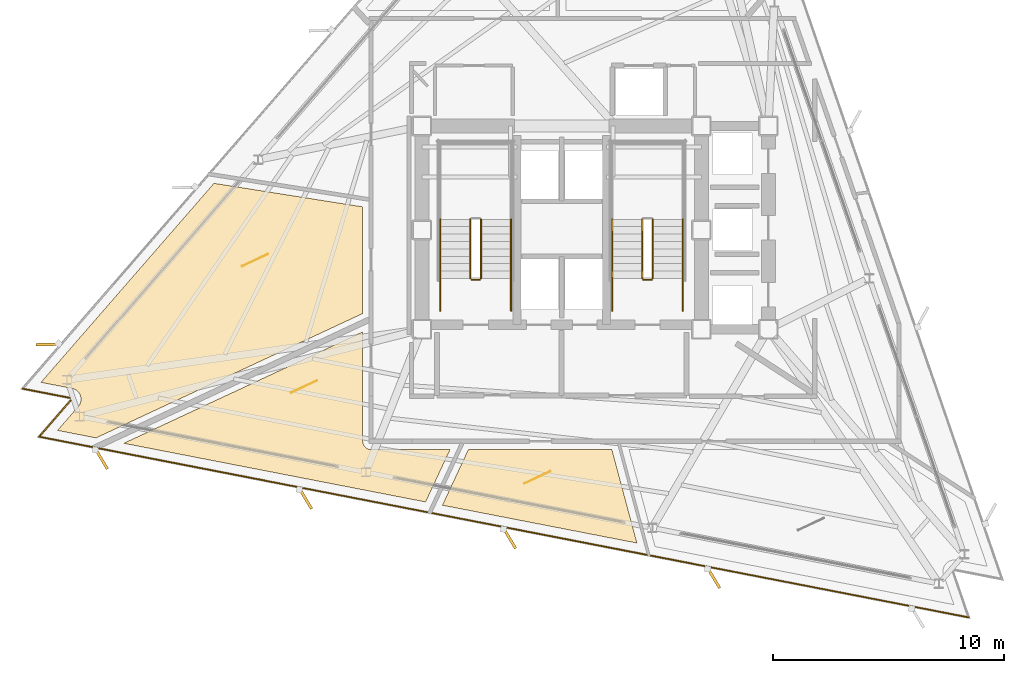
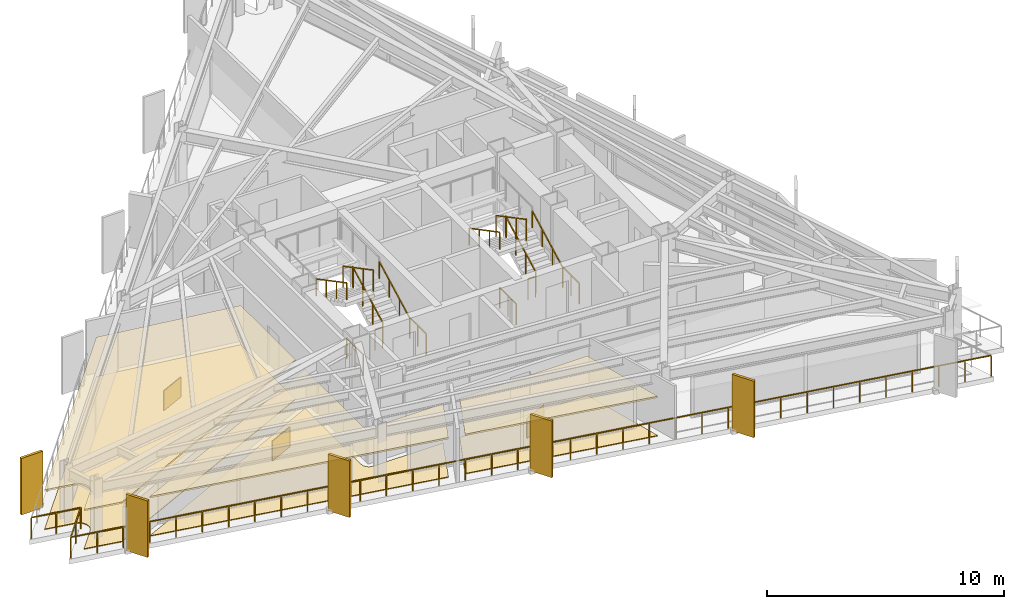
# One storey, part 11 of 13: 15 railings, 9 coverings, 5 shading devices.
"""IFC4 building model written with IfcOpenShell, lengths in metres."""

from ifc_helpers import new_model, si_unit, direction, frame, origin, origin_2d, place, context, subcontext, project, spatial, polyline, rectangle, outline, extrude, material, layer, layer_set, type_object, element, save


model = new_model("IFC4")

# Units and contexts
model_context = context("Model", 3, precision=1e-05, world=origin(), true_north=direction((0.0, 1.0)))
body_context = subcontext(model_context, "Body", "Model", "MODEL_VIEW")
ifc_project = project(units=[si_unit("LENGTHUNIT", "METRE"), si_unit("AREAUNIT", "SQUARE_METRE"), si_unit("VOLUMEUNIT", "CUBIC_METRE"), si_unit("PLANEANGLEUNIT", "RADIAN"), si_unit("MASSUNIT", "GRAM", prefix="KILO")], contexts=[model_context])

# Site, building, storey
site_placement = place(None, origin())
site = spatial("IfcSite", under=ifc_project, at=site_placement, CompositionType="ELEMENT")
building_placement = place(site_placement, origin())
building = spatial("IfcBuilding", under=site, at=building_placement, Name="Rocaltana Carrier Exchange", CompositionType="ELEMENT")
storey_placement = place(building_placement, frame((0.0, 0.0, 159.360107421875)))
storey = spatial("IfcBuildingStorey", under=building, at=storey_placement, Name="L50", CompositionType="ELEMENT", Elevation=159.360107421875)

# Coverings
ifc_material_1 = material(Name="Honed Bogota Sandstone Tile", Category="masonry")
ifc_layer_1 = layer(ifc_material_1, 0.0400390625)
ifc_layer_set_1 = layer_set([ifc_layer_1], Name="Honed Bogota Sandstone Tile")
covering_type_1 = type_object("IfcCoveringType", Name="Honed Stone Lobby Flooring 40", PredefinedType="FLOORING", material=ifc_layer_set_1)
covering_1_placement = place(storey_placement, origin())
element("IfcCovering", 1, at=covering_1_placement, inside=storey, type_object=covering_type_1, Name="L50 Peering Conference Room Finish Floor", PredefinedType="FLOORING", context=body_context, shape_type="SweptSolid", body=[
    extrude(outline(polyline([(-20.927490234375, -7.6455078125), (-20.918701171875, -7.635009765625), (-20.906494140625, -7.619140625), (-20.890380859375, -7.596435546875), (-20.879638671875, -7.57958984375), (-20.86572265625, -7.555419921875), (-20.85693359375, -7.53759765625), (-20.845703125, -7.511962890625), (-20.83837890625, -7.493408203125), (-20.829833984375, -7.466796875), (-20.824462890625, -7.447509765625), (-20.818603515625, -7.42041015625), (-20.815185546875, -7.400634765625), (-20.81201171875, -7.372802734375), (-20.810546875, -7.35302734375), (-20.81005859375, -7.3251953125), (-20.810791015625, -7.30517578125), (-20.81298828125, -7.27734375), (-20.815673828125, -7.257568359375), (-20.82080078125, -7.230224609375), (-20.8251953125, -7.210693359375), (-20.8330078125, -7.183837890625), (-20.839599609375, -7.1650390625), (-20.849853515625, -7.13916015625), (-20.8583984375, -7.12109375), (-20.87109375, -7.09619140625), (-20.88134765625, -7.0791015625), (-20.896484375, -7.055908203125), (-20.908447265625, -7.039794921875), (-20.92578125, -7.01806640625), (-20.939208984375, -7.003173828125), (-20.958984375, -6.9833984375), (-20.9736328125, -6.969970703125), (-20.9951171875, -6.9521484375), (-21.010986328125, -6.940185546875), (-21.0341796875, -6.924560546875), (-21.051513671875, -6.914306640625), (-21.075927734375, -6.901123046875), (-21.093994140625, -6.892578125), (-21.119873046875, -6.882080078125), (-21.138671875, -6.875244140625), (-21.165283203125, -6.8671875), (-21.184814453125, -6.862548828125), (-21.1982421875, -6.859619140625), (-22.541748046875, -6.598388671875), (-15.050537109375, 2.019287109375), (-8.610107421875, 0.999267578125), (-8.610107421875, -3.61767578125), (-20.158203125, -9.002685546875), (-21.82568359375, -8.6787109375), (-20.927490234375, -7.6455078125)])), origin(), (0.0, 0.0, 1.0), 0.039794921875),
])
covering_2_placement = place(storey_placement, origin())
element("IfcCovering", 2, at=covering_2_placement, inside=storey, type_object=covering_type_1, Name="L50 Incident Briefing Room Finish Floor", PredefinedType="FLOORING", context=body_context, shape_type="SweptSolid", body=[
    extrude(outline(polyline([(-18.955810546875, -9.236328125), (-8.610107421875, -4.412109375), (-8.610107421875, -9.14990234375), (-8.609619140625, -9.163818359375), (-8.609375, -9.171630859375), (-8.606689453125, -9.198974609375), (-8.60546875, -9.206787109375), (-8.60009765625, -9.233642578125), (-8.59814453125, -9.2412109375), (-8.590087890625, -9.267578125), (-8.58740234375, -9.27490234375), (-8.576904296875, -9.30029296875), (-8.57373046875, -9.307373046875), (-8.560791015625, -9.331787109375), (-8.556640625, -9.33837890625), (-8.54150390625, -9.361083984375), (-8.53662109375, -9.367431640625), (-8.519287109375, -9.388916015625), (-8.513916015625, -9.39453125), (-8.49462890625, -9.4140625), (-8.48876953125, -9.419189453125), (-8.467529296875, -9.436767578125), (-8.461181640625, -9.44140625), (-8.4384765625, -9.456787109375), (-8.431640625, -9.460693359375), (-8.407470703125, -9.4736328125), (-8.400390625, -9.47705078125), (-8.375, -9.487548828125), (-8.36767578125, -9.490234375), (-8.34130859375, -9.498291015625), (-8.33349609375, -9.5), (-8.306640625, -9.50537109375), (-8.298828125, -9.506591796875), (-8.271484375, -9.50927734375), (-8.263671875, -9.509765625), (-8.25, -9.510009765625), (-4.831787109375, -9.510009765625), (-5.888671875, -11.7763671875), (-18.955810546875, -9.236328125)])), origin(), (0.0, 0.0, 1.0), 0.039794921875),
])
covering_3_placement = place(storey_placement, origin())
element("IfcCovering", 3, at=covering_3_placement, inside=storey, type_object=covering_type_1, Name="L50 Peering Conference Room Finish Floor", PredefinedType="FLOORING", context=body_context, shape_type="SweptSolid", body=[
    extrude(outline(polyline([(-5.16015625, -11.91796875), (-4.037353515625, -9.510009765625), (2.175537109375, -9.510009765625), (3.25927734375, -13.554443359375), (-5.16015625, -11.91796875)])), origin(), (0.0, 0.0, 1.0), 0.039794921875),
])
ifc_material_2 = material(Name="Anodised Aluminium 6063-T6", Category="aluminium")
ifc_layer_2 = layer(ifc_material_2, 0.0849609375)
ifc_layer_set_2 = layer_set([ifc_layer_2], Name="Anodised Aluminium 6063-T6")
covering_type_2 = type_object("IfcCoveringType", Name="Linear Baffle Acoustic Ceiling 85", PredefinedType="CEILING", material=ifc_layer_set_2)
covering_4_placement = place(storey_placement, frame((0.0, 0.0, 1.972900390625)))
element("IfcCovering", 4, at=covering_4_placement, inside=storey, type_object=covering_type_2, Name="L50 Peering Conference Room Acoustic Ceiling", PredefinedType="CEILING", context=body_context, shape_type="SweptSolid", body=[
    extrude(outline(polyline([(-20.927490234375, -7.6455078125), (-20.918701171875, -7.635009765625), (-20.906494140625, -7.619140625), (-20.890380859375, -7.596435546875), (-20.879638671875, -7.57958984375), (-20.86572265625, -7.555419921875), (-20.85693359375, -7.53759765625), (-20.845703125, -7.511962890625), (-20.83837890625, -7.493408203125), (-20.829833984375, -7.466796875), (-20.824462890625, -7.447509765625), (-20.818603515625, -7.42041015625), (-20.815185546875, -7.400634765625), (-20.81201171875, -7.372802734375), (-20.810546875, -7.35302734375), (-20.81005859375, -7.3251953125), (-20.810791015625, -7.30517578125), (-20.81298828125, -7.27734375), (-20.815673828125, -7.257568359375), (-20.82080078125, -7.230224609375), (-20.8251953125, -7.210693359375), (-20.8330078125, -7.183837890625), (-20.839599609375, -7.1650390625), (-20.849853515625, -7.13916015625), (-20.8583984375, -7.12109375), (-20.87109375, -7.09619140625), (-20.88134765625, -7.0791015625), (-20.896484375, -7.055908203125), (-20.908447265625, -7.039794921875), (-20.92578125, -7.01806640625), (-20.939208984375, -7.003173828125), (-20.958984375, -6.9833984375), (-20.9736328125, -6.969970703125), (-20.9951171875, -6.9521484375), (-21.010986328125, -6.940185546875), (-21.0341796875, -6.924560546875), (-21.051513671875, -6.914306640625), (-21.075927734375, -6.901123046875), (-21.093994140625, -6.892578125), (-21.119873046875, -6.882080078125), (-21.138671875, -6.875244140625), (-21.165283203125, -6.8671875), (-21.184814453125, -6.862548828125), (-21.1982421875, -6.859619140625), (-22.541748046875, -6.598388671875), (-15.050537109375, 2.019287109375), (-8.610107421875, 0.999267578125), (-8.610107421875, -3.61767578125), (-20.158203125, -9.002685546875), (-21.82568359375, -8.6787109375), (-20.927490234375, -7.6455078125)])), origin(), (0.0, 0.0, 1.0), 0.0849609375),
])
covering_5_placement = place(storey_placement, frame((0.0, 0.0, 1.972900390625)))
element("IfcCovering", 5, at=covering_5_placement, inside=storey, type_object=covering_type_2, Name="L50 Incident Briefing Room Acoustic Ceiling", PredefinedType="CEILING", context=body_context, shape_type="SweptSolid", body=[
    extrude(outline(polyline([(-18.955810546875, -9.236328125), (-8.610107421875, -4.412109375), (-8.610107421875, -9.14990234375), (-8.609619140625, -9.163818359375), (-8.609375, -9.171630859375), (-8.606689453125, -9.198974609375), (-8.60546875, -9.206787109375), (-8.60009765625, -9.233642578125), (-8.59814453125, -9.2412109375), (-8.590087890625, -9.267578125), (-8.58740234375, -9.27490234375), (-8.576904296875, -9.30029296875), (-8.57373046875, -9.307373046875), (-8.560791015625, -9.331787109375), (-8.556640625, -9.33837890625), (-8.54150390625, -9.361083984375), (-8.53662109375, -9.367431640625), (-8.519287109375, -9.388916015625), (-8.513916015625, -9.39453125), (-8.49462890625, -9.4140625), (-8.48876953125, -9.419189453125), (-8.467529296875, -9.436767578125), (-8.461181640625, -9.44140625), (-8.4384765625, -9.456787109375), (-8.431640625, -9.460693359375), (-8.407470703125, -9.4736328125), (-8.400390625, -9.47705078125), (-8.375, -9.487548828125), (-8.36767578125, -9.490234375), (-8.34130859375, -9.498291015625), (-8.33349609375, -9.5), (-8.306640625, -9.50537109375), (-8.298828125, -9.506591796875), (-8.271484375, -9.50927734375), (-8.263671875, -9.509765625), (-8.25, -9.510009765625), (-4.831787109375, -9.510009765625), (-5.888671875, -11.7763671875), (-18.955810546875, -9.236328125)])), origin(), (0.0, 0.0, 1.0), 0.0849609375),
])
covering_6_placement = place(storey_placement, frame((0.0, 0.0, 1.972900390625)))
element("IfcCovering", 6, at=covering_6_placement, inside=storey, type_object=covering_type_2, Name="L50 Peering Conference Room Acoustic Ceiling", PredefinedType="CEILING", context=body_context, shape_type="SweptSolid", body=[
    extrude(outline(polyline([(-5.16015625, -11.91796875), (-4.037353515625, -9.510009765625), (2.175537109375, -9.510009765625), (3.25927734375, -13.554443359375), (-5.16015625, -11.91796875)])), origin(), (0.0, 0.0, 1.0), 0.0849609375),
])

# Railings
ifc_material_3 = material(Name="Brushed Architectural Stainless Tube", Category="steel")
ifc_layer_3 = layer(ifc_material_3, 0.048095703125)
ifc_layer_set_3 = layer_set([ifc_layer_3], Name="Brushed Architectural Stainless Tube")
railing_type_1 = type_object("IfcRailingType", Name="Stair Wall Handrail 920", PredefinedType="HANDRAIL", material=ifc_layer_set_3)
railing_1_placement = place(storey_placement, frame((-2.18994140625, -2.10009765625, 0.168701171875)))
element("IfcRailing", 7, at=railing_1_placement, inside=storey, type_object=railing_type_1, Name="L50 ST-1 stair handrail 1", PredefinedType="HANDRAIL", context=body_context, shape_type="SweptSolid", body=[
    extrude(rectangle(XDim=0.048095703125, YDim=0.048095703125, at=origin_2d()), frame((0.0, 0.0, 0.8759765625), z_axis=(0.0, 0.884394423565, 0.466740295633), x_axis=(-1.0, 0.0, 0.0)), (0.0, 0.0, 1.0), 2.894775390625),
    extrude(rectangle(XDim=0.0419921875, YDim=0.0419921875, at=origin_2d()), origin(), (0.0, 0.0, 1.0), 0.851806640625),
    extrude(rectangle(XDim=0.0419921875, YDim=0.0419921875, at=origin_2d()), frame((0.0, 0.853271484375, 0.450439453125)), (0.0, 0.0, 1.0), 0.851806640625),
    extrude(rectangle(XDim=0.0419921875, YDim=0.0419921875, at=origin_2d()), frame((0.0, 1.706787109375, 0.900634765625)), (0.0, 0.0, 1.0), 0.851806640625),
    extrude(rectangle(XDim=0.0419921875, YDim=0.0419921875, at=origin_2d()), frame((0.0, 2.56005859375, 1.35107421875)), (0.0, 0.0, 1.0), 0.851806640625),
])
railing_2_placement = place(storey_placement, frame((-5.25, 0.4599609375, 1.688720703125)))
element("IfcRailing", 8, at=railing_2_placement, inside=storey, type_object=railing_type_1, Name="L50 ST-1 stair handrail 2", PredefinedType="HANDRAIL", context=body_context, shape_type="SweptSolid", body=[
    extrude(rectangle(XDim=0.048095703125, YDim=0.048095703125, at=origin_2d()), frame((0.0, 0.0, 0.8759765625), z_axis=(0.0, -0.884394423565, 0.466740295633), x_axis=(1.0, 0.0, 0.0)), (0.0, 0.0, 1.0), 2.894775390625),
    extrude(rectangle(XDim=0.0419921875, YDim=0.0419921875, at=origin_2d()), origin(), (0.0, 0.0, 1.0), 0.851806640625),
    extrude(rectangle(XDim=0.0419921875, YDim=0.0419921875, at=origin_2d()), frame((0.0, -0.853271484375, 0.450439453125)), (0.0, 0.0, 1.0), 0.851806640625),
    extrude(rectangle(XDim=0.0419921875, YDim=0.0419921875, at=origin_2d()), frame((0.0, -1.706787109375, 0.900634765625)), (0.0, 0.0, 1.0), 0.851806640625),
    extrude(rectangle(XDim=0.0419921875, YDim=0.0419921875, at=origin_2d()), frame((0.0, -2.56005859375, 1.35107421875)), (0.0, 0.0, 1.0), 0.851806640625),
])
railing_3_placement = place(storey_placement, frame((5.25, -2.10009765625, 0.168701171875)))
element("IfcRailing", 9, at=railing_3_placement, inside=storey, type_object=railing_type_1, Name="L50 ST-2 stair handrail 1", PredefinedType="HANDRAIL", context=body_context, shape_type="SweptSolid", body=[
    extrude(rectangle(XDim=0.048095703125, YDim=0.048095703125, at=origin_2d()), frame((0.0, 0.0, 0.8759765625), z_axis=(0.0, 0.884394423565, 0.466740295633), x_axis=(-1.0, 0.0, 0.0)), (0.0, 0.0, 1.0), 2.894775390625),
    extrude(rectangle(XDim=0.0419921875, YDim=0.0419921875, at=origin_2d()), origin(), (0.0, 0.0, 1.0), 0.851806640625),
    extrude(rectangle(XDim=0.0419921875, YDim=0.0419921875, at=origin_2d()), frame((0.0, 0.853271484375, 0.450439453125)), (0.0, 0.0, 1.0), 0.851806640625),
    extrude(rectangle(XDim=0.0419921875, YDim=0.0419921875, at=origin_2d()), frame((0.0, 1.706787109375, 0.900634765625)), (0.0, 0.0, 1.0), 0.851806640625),
    extrude(rectangle(XDim=0.0419921875, YDim=0.0419921875, at=origin_2d()), frame((0.0, 2.56005859375, 1.35107421875)), (0.0, 0.0, 1.0), 0.851806640625),
])
railing_4_placement = place(storey_placement, frame((2.18994140625, 0.4599609375, 1.688720703125)))
element("IfcRailing", 10, at=railing_4_placement, inside=storey, type_object=railing_type_1, Name="L50 ST-2 stair handrail 2", PredefinedType="HANDRAIL", context=body_context, shape_type="SweptSolid", body=[
    extrude(rectangle(XDim=0.048095703125, YDim=0.048095703125, at=origin_2d()), frame((0.0, 0.0, 0.8759765625), z_axis=(0.0, -0.884394423565, 0.466740295633), x_axis=(1.0, 0.0, 0.0)), (0.0, 0.0, 1.0), 2.894775390625),
    extrude(rectangle(XDim=0.0419921875, YDim=0.0419921875, at=origin_2d()), origin(), (0.0, 0.0, 1.0), 0.851806640625),
    extrude(rectangle(XDim=0.0419921875, YDim=0.0419921875, at=origin_2d()), frame((0.0, -0.853271484375, 0.450439453125)), (0.0, 0.0, 1.0), 0.851806640625),
    extrude(rectangle(XDim=0.0419921875, YDim=0.0419921875, at=origin_2d()), frame((0.0, -1.706787109375, 0.900634765625)), (0.0, 0.0, 1.0), 0.851806640625),
    extrude(rectangle(XDim=0.0419921875, YDim=0.0419921875, at=origin_2d()), frame((0.0, -2.56005859375, 1.35107421875)), (0.0, 0.0, 1.0), 0.851806640625),
])
ifc_material_4 = material(Name="Powder-Coated Aluminium 6063-T6", Category="aluminium")
ifc_layer_4 = layer(ifc_material_4, 0.048095703125)
ifc_layer_set_4 = layer_set([ifc_layer_4], Name="Powder-Coated Aluminium 6063-T6")
railing_type_2 = type_object("IfcRailingType", Name="Stair Well Guardrail 1100", PredefinedType="GUARDRAIL", material=ifc_layer_set_4)
railing_5_placement = place(storey_placement, frame((-3.489990234375, -2.10009765625, 0.168701171875)))
element("IfcRailing", 11, at=railing_5_placement, inside=storey, type_object=railing_type_2, Name="L50 ST-1 stair guard 1", PredefinedType="GUARDRAIL", context=body_context, shape_type="SweptSolid", body=[
    extrude(rectangle(XDim=0.048095703125, YDim=0.048095703125, at=origin_2d()), frame((0.0, 0.0, 1.076171875), z_axis=(0.0, 0.884394423565, 0.466740295633), x_axis=(-1.0, 0.0, 0.0)), (0.0, 0.0, 1.0), 2.894775390625),
    extrude(rectangle(XDim=0.0419921875, YDim=0.0419921875, at=origin_2d()), origin(), (0.0, 0.0, 1.0), 1.052001953125),
    extrude(rectangle(XDim=0.0419921875, YDim=0.0419921875, at=origin_2d()), frame((0.0, 0.853271484375, 0.450439453125)), (0.0, 0.0, 1.0), 1.052001953125),
    extrude(rectangle(XDim=0.0419921875, YDim=0.0419921875, at=origin_2d()), frame((0.0, 1.706787109375, 0.900634765625)), (0.0, 0.0, 1.0), 1.052001953125),
    extrude(rectangle(XDim=0.0419921875, YDim=0.0419921875, at=origin_2d()), frame((0.0, 2.56005859375, 1.35107421875)), (0.0, 0.0, 1.0), 1.052001953125),
])
railing_6_placement = place(storey_placement, frame((-3.949951171875, 0.4599609375, 1.688720703125)))
element("IfcRailing", 12, at=railing_6_placement, inside=storey, type_object=railing_type_2, Name="L50 ST-1 stair guard 6", PredefinedType="GUARDRAIL", context=body_context, shape_type="SweptSolid", body=[
    extrude(rectangle(XDim=0.048095703125, YDim=0.048095703125, at=origin_2d()), frame((0.0, 0.0, 1.076171875), z_axis=(0.0, -0.884394423565, 0.466740295633), x_axis=(1.0, 0.0, 0.0)), (0.0, 0.0, 1.0), 2.894775390625),
    extrude(rectangle(XDim=0.0419921875, YDim=0.0419921875, at=origin_2d()), origin(), (0.0, 0.0, 1.0), 1.052001953125),
    extrude(rectangle(XDim=0.0419921875, YDim=0.0419921875, at=origin_2d()), frame((0.0, -0.853271484375, 0.450439453125)), (0.0, 0.0, 1.0), 1.052001953125),
    extrude(rectangle(XDim=0.0419921875, YDim=0.0419921875, at=origin_2d()), frame((0.0, -1.706787109375, 0.900634765625)), (0.0, 0.0, 1.0), 1.052001953125),
    extrude(rectangle(XDim=0.0419921875, YDim=0.0419921875, at=origin_2d()), frame((0.0, -2.56005859375, 1.35107421875)), (0.0, 0.0, 1.0), 1.052001953125),
])
railing_7_placement = place(storey_placement, frame((-3.5400390625, -2.14990234375, 0.0)))
element("IfcRailing", 13, at=railing_7_placement, inside=storey, type_object=railing_type_2, Name="L50 ST-1 stair guard 7", PredefinedType="GUARDRAIL", context=body_context, shape_type="SweptSolid", body=[
    extrude(rectangle(XDim=0.048095703125, YDim=0.048095703125, at=origin_2d()), frame((0.0, 0.0, 1.076171875), z_axis=(-1.0, 0.0, 0.0), x_axis=(0.0, -1.0, 0.0)), (0.0, 0.0, 1.0), 0.35986328125),
    extrude(rectangle(XDim=0.0419921875, YDim=0.0419921875, at=origin_2d()), origin(), (0.0, 0.0, 1.0), 1.052001953125),
    extrude(rectangle(XDim=0.0419921875, YDim=0.0419921875, at=origin_2d()), frame((-0.35986328125, 0.0, 0.0)), (0.0, 0.0, 1.0), 1.052001953125),
])
for number, where, name in (
    (14, (-2.18994140625, -3.5, 0.0), "L50 ST-1 stair guard 8"),
    (15, (-5.25, -3.5, 0.0), "L50 ST-1 stair guard 9"),
):
    element("IfcRailing", number, at=place(storey_placement, frame(where)), inside=storey, type_object=railing_type_2, Name=name, PredefinedType="GUARDRAIL", context=body_context, shape_type="SweptSolid", body=[
        extrude(rectangle(XDim=0.048095703125, YDim=0.048095703125, at=origin_2d()), frame((0.0, 0.0, 1.076171875), z_axis=(0.0, 1.0, 0.0), x_axis=(-1.0, 0.0, 0.0)), (0.0, 0.0, 1.0), 1.39990234375),
        extrude(rectangle(XDim=0.0419921875, YDim=0.0419921875, at=origin_2d()), origin(), (0.0, 0.0, 1.0), 1.052001953125),
        extrude(rectangle(XDim=0.0419921875, YDim=0.0419921875, at=origin_2d()), frame((0.0, 0.699951171875, 0.0)), (0.0, 0.0, 1.0), 1.052001953125),
        extrude(rectangle(XDim=0.0419921875, YDim=0.0419921875, at=origin_2d()), frame((0.0, 1.39990234375, 0.0)), (0.0, 0.0, 1.0), 1.052001953125),
    ])
railing_8_placement = place(storey_placement, frame((3.949951171875, -2.10009765625, 0.168701171875)))
element("IfcRailing", 16, at=railing_8_placement, inside=storey, type_object=railing_type_2, Name="L50 ST-2 stair guard 1", PredefinedType="GUARDRAIL", context=body_context, shape_type="SweptSolid", body=[
    extrude(rectangle(XDim=0.048095703125, YDim=0.048095703125, at=origin_2d()), frame((0.0, 0.0, 1.076171875), z_axis=(0.0, 0.884394423565, 0.466740295633), x_axis=(-1.0, 0.0, 0.0)), (0.0, 0.0, 1.0), 2.894775390625),
    extrude(rectangle(XDim=0.0419921875, YDim=0.0419921875, at=origin_2d()), origin(), (0.0, 0.0, 1.0), 1.052001953125),
    extrude(rectangle(XDim=0.0419921875, YDim=0.0419921875, at=origin_2d()), frame((0.0, 0.853271484375, 0.450439453125)), (0.0, 0.0, 1.0), 1.052001953125),
    extrude(rectangle(XDim=0.0419921875, YDim=0.0419921875, at=origin_2d()), frame((0.0, 1.706787109375, 0.900634765625)), (0.0, 0.0, 1.0), 1.052001953125),
    extrude(rectangle(XDim=0.0419921875, YDim=0.0419921875, at=origin_2d()), frame((0.0, 2.56005859375, 1.35107421875)), (0.0, 0.0, 1.0), 1.052001953125),
])
railing_9_placement = place(storey_placement, frame((3.489990234375, 0.4599609375, 1.688720703125)))
element("IfcRailing", 17, at=railing_9_placement, inside=storey, type_object=railing_type_2, Name="L50 ST-2 stair guard 6", PredefinedType="GUARDRAIL", context=body_context, shape_type="SweptSolid", body=[
    extrude(rectangle(XDim=0.048095703125, YDim=0.048095703125, at=origin_2d()), frame((0.0, 0.0, 1.076171875), z_axis=(0.0, -0.884394423565, 0.466740295633), x_axis=(1.0, 0.0, 0.0)), (0.0, 0.0, 1.0), 2.894775390625),
    extrude(rectangle(XDim=0.0419921875, YDim=0.0419921875, at=origin_2d()), origin(), (0.0, 0.0, 1.0), 1.052001953125),
    extrude(rectangle(XDim=0.0419921875, YDim=0.0419921875, at=origin_2d()), frame((0.0, -0.853271484375, 0.450439453125)), (0.0, 0.0, 1.0), 1.052001953125),
    extrude(rectangle(XDim=0.0419921875, YDim=0.0419921875, at=origin_2d()), frame((0.0, -1.706787109375, 0.900634765625)), (0.0, 0.0, 1.0), 1.052001953125),
    extrude(rectangle(XDim=0.0419921875, YDim=0.0419921875, at=origin_2d()), frame((0.0, -2.56005859375, 1.35107421875)), (0.0, 0.0, 1.0), 1.052001953125),
])
railing_10_placement = place(storey_placement, frame((3.89990234375, -2.14990234375, 0.0)))
element("IfcRailing", 18, at=railing_10_placement, inside=storey, type_object=railing_type_2, Name="L50 ST-2 stair guard 7", PredefinedType="GUARDRAIL", context=body_context, shape_type="SweptSolid", body=[
    extrude(rectangle(XDim=0.048095703125, YDim=0.048095703125, at=origin_2d()), frame((0.0, 0.0, 1.076171875), z_axis=(-1.0, 0.0, 0.0), x_axis=(0.0, -1.0, 0.0)), (0.0, 0.0, 1.0), 0.35986328125),
    extrude(rectangle(XDim=0.0419921875, YDim=0.0419921875, at=origin_2d()), origin(), (0.0, 0.0, 1.0), 1.052001953125),
    extrude(rectangle(XDim=0.0419921875, YDim=0.0419921875, at=origin_2d()), frame((-0.35986328125, 0.0, 0.0)), (0.0, 0.0, 1.0), 1.052001953125),
])
for number, where, name in (
    (19, (5.25, -3.5, 0.0), "L50 ST-2 stair guard 8"),
    (20, (2.18994140625, -3.5, 0.0), "L50 ST-2 stair guard 9"),
):
    element("IfcRailing", number, at=place(storey_placement, frame(where)), inside=storey, type_object=railing_type_2, Name=name, PredefinedType="GUARDRAIL", context=body_context, shape_type="SweptSolid", body=[
        extrude(rectangle(XDim=0.048095703125, YDim=0.048095703125, at=origin_2d()), frame((0.0, 0.0, 1.076171875), z_axis=(0.0, 1.0, 0.0), x_axis=(-1.0, 0.0, 0.0)), (0.0, 0.0, 1.0), 1.39990234375),
        extrude(rectangle(XDim=0.0419921875, YDim=0.0419921875, at=origin_2d()), origin(), (0.0, 0.0, 1.0), 1.052001953125),
        extrude(rectangle(XDim=0.0419921875, YDim=0.0419921875, at=origin_2d()), frame((0.0, 0.699951171875, 0.0)), (0.0, 0.0, 1.0), 1.052001953125),
        extrude(rectangle(XDim=0.0419921875, YDim=0.0419921875, at=origin_2d()), frame((0.0, 1.39990234375, 0.0)), (0.0, 0.0, 1.0), 1.052001953125),
    ])

# Coverings
ifc_material_5 = material(Name="Honed Piedra Muneca Sandstone", Category="masonry")
ifc_layer_5 = layer(ifc_material_5, 0.034912109375)
ifc_layer_set_5 = layer_set([ifc_layer_5], Name="Honed Piedra Muneca Sandstone")
covering_type_3 = type_object("IfcCoveringType", Name="Stone Facade Cladding 35", PredefinedType="CLADDING", material=ifc_layer_set_5)
for number, where, z_axis, x_axis, name in (
    (21, (-13.277099609375, -1.30908203125, 0.0), (0.0, 0.0, 1.0), (0.906307787037, 0.422618261741, 0.0), "L50 Stone Facade Cladding Panel 1"),
    (22, (-11.150146484375, -6.781005859375, 0.0), (0.0, 0.0, 1.0), (0.906307787037, 0.422618261741, 0.0), "L50 Stone Facade Cladding Panel 2"),
    (23, (-1.05029296875, -10.714111328125, 0.0), (0.0, 0.0, 1.0), (0.906307787037, 0.422618261741, 0.0), "L50 Stone Facade Cladding Panel 3"),
):
    element("IfcCovering", number, at=place(storey_placement, frame(where, z_axis=z_axis, x_axis=x_axis)), inside=storey, type_object=covering_type_3, Name=name, PredefinedType="CLADDING", context=body_context, shape_type="SweptSolid", body=[
        extrude(rectangle(XDim=1.25, YDim=0.034912109375, at=origin_2d()), origin(), (0.0, 0.0, 1.0), 1.050048828125),
    ])

# Shading devices
ifc_material_6 = material(Name="Honed Bogota Sandstone & Concrete C45/55", Category="masonry")
ifc_layer_6 = layer(ifc_material_6, 0.1201171875)
ifc_layer_set_6 = layer_set([ifc_layer_6], Name="Honed Bogota Sandstone & Concrete C45/55")
shading_device_type = type_object("IfcShadingDeviceType", Name="Upper Sandstone Shading Fin 1050x120", PredefinedType="USERDEFINED", material=ifc_layer_set_6)
for number, where, z_axis, x_axis, name in (
    (24, (-22.228759765625, -4.95703125, -0.1201171875), (0.0, 0.0, 1.0), (-0.999847695156, -0.017452406437, 0.0), "L50 Sandstone Vertical Fin F2-05"),
    (25, (-19.93115234375, -9.90283203125, -0.1201171875), (0.0, 0.0, 1.0), (0.51503807491, -0.857167300702, 0.0), "L50 Sandstone Vertical Fin F3-01"),
    (26, (-11.0966796875, -11.6201171875, -0.1201171875), (0.0, 0.0, 1.0), (0.51503807491, -0.857167300702, 0.0), "L50 Sandstone Vertical Fin F3-02"),
    (27, (-2.261962890625, -13.33740234375, -0.1201171875), (0.0, 0.0, 1.0), (0.51503807491, -0.857167300702, 0.0), "L50 Sandstone Vertical Fin F3-03"),
    (28, (6.57275390625, -15.0546875, -0.1201171875), (0.0, 0.0, 1.0), (0.51503807491, -0.857167300702, 0.0), "L50 Sandstone Vertical Fin F3-04"),
):
    element("IfcShadingDevice", number, at=place(storey_placement, frame(where, z_axis=z_axis, x_axis=x_axis)), inside=storey, type_object=shading_device_type, Name=name, ObjectType="FIN", PredefinedType="USERDEFINED", context=body_context, shape_type="SweptSolid", body=[
        extrude(rectangle(XDim=1.050048828125, YDim=0.1201171875, at=origin_2d()), origin(), (0.0, 0.0, 1.0), 2.907958984375),
    ])

# Railing
ifc_material_7 = material(Name="Powder-Coated Aluminium 6063-T6", Category="aluminium")
ifc_layer_7 = layer(ifc_material_7, 0.06005859375)
ifc_layer_set_7 = layer_set([ifc_layer_7], Name="Powder-Coated Aluminium 6063-T6")
railing_type_3 = type_object("IfcRailingType", Name="Wind-Floor & Terrace Perimeter Guardrail 1100", PredefinedType="GUARDRAIL", material=ifc_layer_set_7)
railing_11_placement = place(storey_placement, frame((17.619140625, -16.773681640625, 0.0)))
element("IfcRailing", 29, at=railing_11_placement, inside=storey, type_object=railing_type_3, Name="L50 Perimeter Balcony Guardrail 1", PredefinedType="GUARDRAIL", context=body_context, shape_type="SweptSolid", body=[
    extrude(rectangle(XDim=0.048095703125, YDim=0.048095703125, at=origin_2d()), frame((0.0, 0.0, 1.076171875), z_axis=(-0.981626701724, 0.190811473615, 0.0), x_axis=(-0.190811473615, -0.981626701724, 0.0)), (0.0, 0.0, 1.0), 40.9921875),
    extrude(rectangle(XDim=0.048095703125, YDim=0.048095703125, at=origin_2d()), frame((-40.239013671875, 7.82177734375, 1.076171875), z_axis=(0.656057821484, 0.75471062989, 0.0), x_axis=(-0.75471062989, 0.656057821484, 0.0)), (0.0, 0.0, 1.0), 2.199951171875),
    extrude(rectangle(XDim=0.048095703125, YDim=0.048095703125, at=origin_2d()), frame((-38.795654296875, 9.482177734375, 1.076171875), z_axis=(-0.98163329095, 0.190777572317, 0.0), x_axis=(-0.190777572317, -0.98163329095, 0.0)), (0.0, 0.0, 1.0), 2.19970703125),
    extrude(rectangle(XDim=0.0419921875, YDim=0.0419921875, at=origin_2d()), origin(), (0.0, 0.0, 1.0), 1.052001953125),
    extrude(rectangle(XDim=0.0419921875, YDim=0.0419921875, at=origin_2d()), frame((-1.149658203125, 0.223388671875, 0.0)), (0.0, 0.0, 1.0), 1.052001953125),
    extrude(rectangle(XDim=0.0419921875, YDim=0.0419921875, at=origin_2d()), frame((-2.29931640625, 0.447021484375, 0.0)), (0.0, 0.0, 1.0), 1.052001953125),
    extrude(rectangle(XDim=0.0419921875, YDim=0.0419921875, at=origin_2d()), frame((-3.448974609375, 0.67041015625, 0.0)), (0.0, 0.0, 1.0), 1.052001953125),
    extrude(rectangle(XDim=0.0419921875, YDim=0.0419921875, at=origin_2d()), frame((-4.5986328125, 0.893798828125, 0.0)), (0.0, 0.0, 1.0), 1.052001953125),
    extrude(rectangle(XDim=0.0419921875, YDim=0.0419921875, at=origin_2d()), frame((-5.74853515625, 1.117431640625, 0.0)), (0.0, 0.0, 1.0), 1.052001953125),
    extrude(rectangle(XDim=0.0419921875, YDim=0.0419921875, at=origin_2d()), frame((-6.898193359375, 1.3408203125, 0.0)), (0.0, 0.0, 1.0), 1.052001953125),
    extrude(rectangle(XDim=0.0419921875, YDim=0.0419921875, at=origin_2d()), frame((-8.0478515625, 1.564453125, 0.0)), (0.0, 0.0, 1.0), 1.052001953125),
    extrude(rectangle(XDim=0.0419921875, YDim=0.0419921875, at=origin_2d()), frame((-9.197509765625, 1.787841796875, 0.0)), (0.0, 0.0, 1.0), 1.052001953125),
    extrude(rectangle(XDim=0.0419921875, YDim=0.0419921875, at=origin_2d()), frame((-10.34716796875, 2.01123046875, 0.0)), (0.0, 0.0, 1.0), 1.052001953125),
    extrude(rectangle(XDim=0.0419921875, YDim=0.0419921875, at=origin_2d()), frame((-11.496826171875, 2.23486328125, 0.0)), (0.0, 0.0, 1.0), 1.052001953125),
    extrude(rectangle(XDim=0.0419921875, YDim=0.0419921875, at=origin_2d()), frame((-12.646484375, 2.458251953125, 0.0)), (0.0, 0.0, 1.0), 1.052001953125),
    extrude(rectangle(XDim=0.0419921875, YDim=0.0419921875, at=origin_2d()), frame((-13.796142578125, 2.681640625, 0.0)), (0.0, 0.0, 1.0), 1.052001953125),
    extrude(rectangle(XDim=0.0419921875, YDim=0.0419921875, at=origin_2d()), frame((-14.94580078125, 2.9052734375, 0.0)), (0.0, 0.0, 1.0), 1.052001953125),
    extrude(rectangle(XDim=0.0419921875, YDim=0.0419921875, at=origin_2d()), frame((-16.095703125, 3.128662109375, 0.0)), (0.0, 0.0, 1.0), 1.052001953125),
    extrude(rectangle(XDim=0.0419921875, YDim=0.0419921875, at=origin_2d()), frame((-17.245361328125, 3.352294921875, 0.0)), (0.0, 0.0, 1.0), 1.052001953125),
    extrude(rectangle(XDim=0.0419921875, YDim=0.0419921875, at=origin_2d()), frame((-18.39501953125, 3.57568359375, 0.0)), (0.0, 0.0, 1.0), 1.052001953125),
    extrude(rectangle(XDim=0.0419921875, YDim=0.0419921875, at=origin_2d()), frame((-19.544677734375, 3.799072265625, 0.0)), (0.0, 0.0, 1.0), 1.052001953125),
    extrude(rectangle(XDim=0.0419921875, YDim=0.0419921875, at=origin_2d()), frame((-20.6943359375, 4.022705078125, 0.0)), (0.0, 0.0, 1.0), 1.052001953125),
    extrude(rectangle(XDim=0.0419921875, YDim=0.0419921875, at=origin_2d()), frame((-21.843994140625, 4.24609375, 0.0)), (0.0, 0.0, 1.0), 1.052001953125),
    extrude(rectangle(XDim=0.0419921875, YDim=0.0419921875, at=origin_2d()), frame((-22.99365234375, 4.469482421875, 0.0)), (0.0, 0.0, 1.0), 1.052001953125),
    extrude(rectangle(XDim=0.0419921875, YDim=0.0419921875, at=origin_2d()), frame((-24.143310546875, 4.693115234375, 0.0)), (0.0, 0.0, 1.0), 1.052001953125),
    extrude(rectangle(XDim=0.0419921875, YDim=0.0419921875, at=origin_2d()), frame((-25.293212890625, 4.91650390625, 0.0)), (0.0, 0.0, 1.0), 1.052001953125),
    extrude(rectangle(XDim=0.0419921875, YDim=0.0419921875, at=origin_2d()), frame((-26.44287109375, 5.14013671875, 0.0)), (0.0, 0.0, 1.0), 1.052001953125),
    extrude(rectangle(XDim=0.0419921875, YDim=0.0419921875, at=origin_2d()), frame((-27.592529296875, 5.363525390625, 0.0)), (0.0, 0.0, 1.0), 1.052001953125),
    extrude(rectangle(XDim=0.0419921875, YDim=0.0419921875, at=origin_2d()), frame((-28.7421875, 5.5869140625, 0.0)), (0.0, 0.0, 1.0), 1.052001953125),
    extrude(rectangle(XDim=0.0419921875, YDim=0.0419921875, at=origin_2d()), frame((-29.891845703125, 5.810546875, 0.0)), (0.0, 0.0, 1.0), 1.052001953125),
    extrude(rectangle(XDim=0.0419921875, YDim=0.0419921875, at=origin_2d()), frame((-31.04150390625, 6.033935546875, 0.0)), (0.0, 0.0, 1.0), 1.052001953125),
    extrude(rectangle(XDim=0.0419921875, YDim=0.0419921875, at=origin_2d()), frame((-32.191162109375, 6.25732421875, 0.0)), (0.0, 0.0, 1.0), 1.052001953125),
    extrude(rectangle(XDim=0.0419921875, YDim=0.0419921875, at=origin_2d()), frame((-33.3408203125, 6.48095703125, 0.0)), (0.0, 0.0, 1.0), 1.052001953125),
    extrude(rectangle(XDim=0.0419921875, YDim=0.0419921875, at=origin_2d()), frame((-34.490478515625, 6.704345703125, 0.0)), (0.0, 0.0, 1.0), 1.052001953125),
    extrude(rectangle(XDim=0.0419921875, YDim=0.0419921875, at=origin_2d()), frame((-35.640380859375, 6.927978515625, 0.0)), (0.0, 0.0, 1.0), 1.052001953125),
    extrude(rectangle(XDim=0.0419921875, YDim=0.0419921875, at=origin_2d()), frame((-36.7900390625, 7.1513671875, 0.0)), (0.0, 0.0, 1.0), 1.052001953125),
    extrude(rectangle(XDim=0.0419921875, YDim=0.0419921875, at=origin_2d()), frame((-37.939697265625, 7.374755859375, 0.0)), (0.0, 0.0, 1.0), 1.052001953125),
    extrude(rectangle(XDim=0.0419921875, YDim=0.0419921875, at=origin_2d()), frame((-39.08935546875, 7.598388671875, 0.0)), (0.0, 0.0, 1.0), 1.052001953125),
    extrude(rectangle(XDim=0.0419921875, YDim=0.0419921875, at=origin_2d()), frame((-40.239013671875, 7.82177734375, 0.0)), (0.0, 0.0, 1.0), 1.052001953125),
    extrude(rectangle(XDim=0.0419921875, YDim=0.0419921875, at=origin_2d()), frame((-39.517333984375, 8.65185546875, 0.0)), (0.0, 0.0, 1.0), 1.052001953125),
    extrude(rectangle(XDim=0.0419921875, YDim=0.0419921875, at=origin_2d()), frame((-38.795654296875, 9.482177734375, 0.0)), (0.0, 0.0, 1.0), 1.052001953125),
    extrude(rectangle(XDim=0.0419921875, YDim=0.0419921875, at=origin_2d()), frame((-39.87548828125, 9.69189453125, 0.0)), (0.0, 0.0, 1.0), 1.052001953125),
    extrude(rectangle(XDim=0.0419921875, YDim=0.0419921875, at=origin_2d()), frame((-40.955078125, 9.90185546875, 0.0)), (0.0, 0.0, 1.0), 1.052001953125),
])

save(model, "model.ifc")
